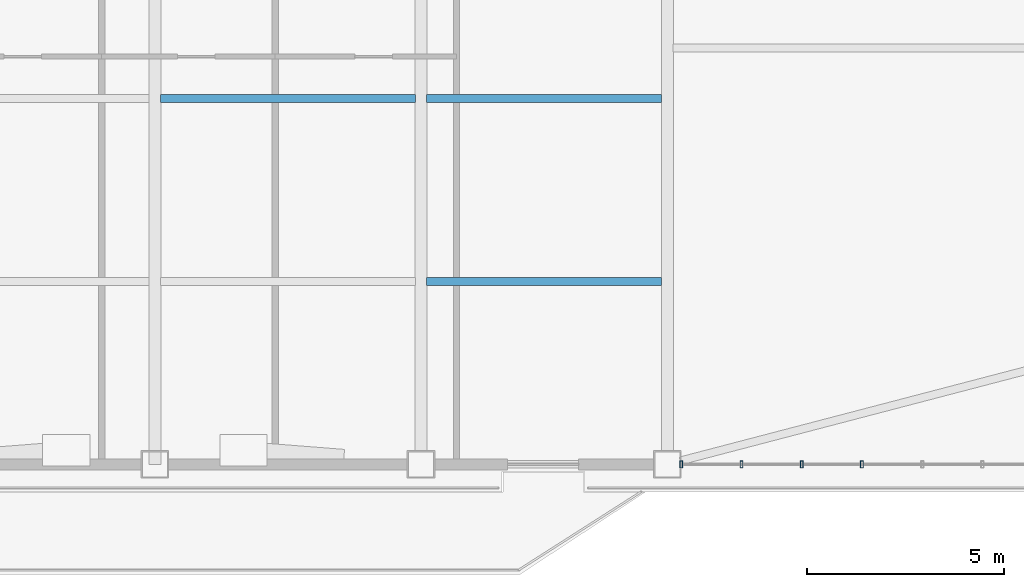
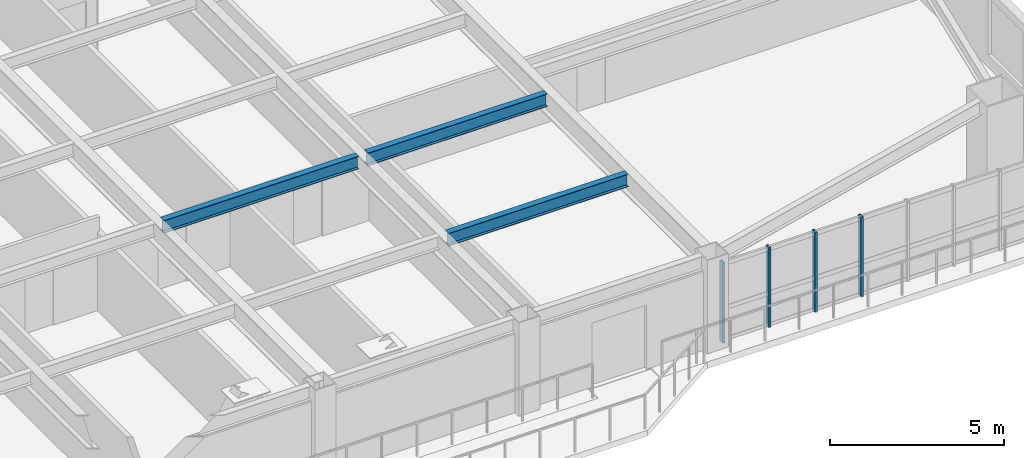
# One storey, part 4 of 15: 4 members, 3 beams, 1 element without a shape of its own.
"""IFC4 building model written with IfcOpenShell, lengths in metres."""

import ifcopenshell
import ifcopenshell.guid

model = None  # the IFC model being written
_history = None  # IfcOwnerHistory: only IFC2X3 demands one
_inside = {}  # id of a spatial element -> (the spatial element, [elements in it])
_under = {}  # id of a project, library or spatial element -> (it, [spatial elements below it])
_declared = {}  # id of a project -> (the project, [libraries it declares])
_typed = {}  # id of a type object -> (the type object, [elements of that type])
_made_of = {}  # id of a material, layer set ... -> (it, [elements and type objects made of it])


def new_model(schema):
    """Start an empty IFC model of exactly this schema.

    Asked for "IFC4X3", IfcOpenShell would pick the latest addendum, in which some entities
    have other attributes; the version numbers below select the first issue.
    IFC2X3 requires an IfcOwnerHistory on every rooted entity: one is made here for all.
    """
    global model, _history
    if schema == "IFC4X3":
        model = ifcopenshell.file(schema_version=(4, 3, 0, 0))
    else:
        model = ifcopenshell.file(schema=schema)
    _inside.clear()
    _under.clear()
    _declared.clear()
    _typed.clear()
    _made_of.clear()
    _history = None
    if model.schema == "IFC2X3":
        org = make("IfcOrganization", Name="unknown")
        user = make(
            "IfcPersonAndOrganization",
            ThePerson=make("IfcPerson", FamilyName="unknown"),
            TheOrganization=org,
        )
        app = make(
            "IfcApplication",
            ApplicationDeveloper=org,
            Version="unknown",
            ApplicationFullName="unknown",
            ApplicationIdentifier="unknown",
        )
        _history = make(
            "IfcOwnerHistory",
            OwningUser=user,
            OwningApplication=app,
            ChangeAction="ADDED",
            CreationDate=0,
        )
    return model


def make(cls, **values):
    """One entity of the class cls with the attributes given. An attribute that is None is left unset."""
    return model.create_entity(
        cls, **{name: value for name, value in values.items() if value is not None}
    )


def rooted(cls, **values):
    """An entity with a GlobalId (a new one), such as an element, a storey or a relation."""
    return make(cls, GlobalId=ifcopenshell.guid.new(), OwnerHistory=_history, **values)


def si_unit(unit_type, name, prefix=None):
    """IfcSIUnit, for example si_unit("LENGTHUNIT", "METRE", prefix="MILLI")."""
    return make("IfcSIUnit", UnitType=unit_type, Prefix=prefix, Name=name)


def assignment(units):
    """IfcUnitAssignment: the units of a project."""
    return None if units is None else make("IfcUnitAssignment", Units=units)


def point(xyz):
    """IfcCartesianPoint."""
    return None if xyz is None else make("IfcCartesianPoint", Coordinates=xyz)


def direction(xyz):
    """IfcDirection."""
    return None if xyz is None else make("IfcDirection", DirectionRatios=xyz)


def frame(location, z_axis=None, x_axis=None):
    """IfcAxis2Placement3D, a coordinate frame: its origin and axes. An axis left out is left unset."""
    return make(
        "IfcAxis2Placement3D",
        Location=point(location),
        Axis=direction(z_axis),
        RefDirection=direction(x_axis),
    )


def frame_2d(location, x_axis=None):
    """IfcAxis2Placement2D, a coordinate frame in the plane: its origin and x axis."""
    return make(
        "IfcAxis2Placement2D", Location=point(location), RefDirection=direction(x_axis)
    )


def origin():
    """The frame at (0, 0, 0) with its axes left unset."""
    return frame((0.0, 0.0, 0.0))


def origin_2d():
    """The frame at (0, 0) in the plane with its x axis left unset."""
    return frame_2d((0.0, 0.0))


def place(relative_to, where):
    """IfcLocalPlacement: puts the frame where relative to a parent placement (None: the world)."""
    return make(
        "IfcLocalPlacement", PlacementRelTo=relative_to, RelativePlacement=where
    )


def context(
    kind, dimensions, precision=None, world=None, true_north=None, identifier=None
):
    """IfcGeometricRepresentationContext, for example the 3D "Model" context."""
    return make(
        "IfcGeometricRepresentationContext",
        ContextIdentifier=identifier,
        ContextType=kind,
        CoordinateSpaceDimension=dimensions,
        Precision=precision,
        WorldCoordinateSystem=world,
        TrueNorth=true_north,
    )


def subcontext(parent, identifier, kind, view, scale=None):
    """IfcGeometricRepresentationSubContext, for example "Body" below "Model"."""
    return make(
        "IfcGeometricRepresentationSubContext",
        ContextIdentifier=identifier,
        ContextType=kind,
        ParentContext=parent,
        TargetScale=scale,
        TargetView=view,
    )


def project(units=None, contexts=None):
    """IfcProject with its units and contexts."""
    return rooted(
        "IfcProject",
        Name="project",
        RepresentationContexts=contexts,
        UnitsInContext=assignment(units),
    )


def spatial(cls, under=None, at=None, **own):
    """A site, building, storey or space (cls), placed at a placement, below another one or the project."""
    s = rooted(cls, ObjectPlacement=at, **own)
    if under is not None:
        _under.setdefault(under.id(), (under, []))[1].append(s)
    return s


def profile(cls, at=None, kind="AREA", **sizes):
    """A parametric profile (cls). Its sizes go by their IFC names, for example OverallWidth=200.0."""
    return make(cls, ProfileType=kind, Position=at, **sizes)


def hollow_rectangle(**sizes):
    """IfcRectangleHollowProfileDef."""
    return profile("IfcRectangleHollowProfileDef", **sizes)


def i_section(**sizes):
    """IfcIShapeProfileDef."""
    return profile("IfcIShapeProfileDef", **sizes)


def extrude(swept, where, along, depth):
    """IfcExtrudedAreaSolid: the profile swept, set in the frame where, extruded along a direction by depth."""
    return make(
        "IfcExtrudedAreaSolid",
        SweptArea=swept,
        Position=where,
        ExtrudedDirection=direction(along),
        Depth=depth,
    )


def shape(context_of_items, identifier, shape_type, items):
    """IfcShapeRepresentation: the items that make up one representation, for example the "Body"."""
    return make(
        "IfcShapeRepresentation",
        ContextOfItems=context_of_items,
        RepresentationIdentifier=identifier,
        RepresentationType=shape_type,
        Items=items,
    )


def source(mapping_origin, context_of_items, identifier, shape_type, items):
    """IfcRepresentationMap: a shape defined once, which mapped items show again and again."""
    return make(
        "IfcRepresentationMap",
        MappingOrigin=mapping_origin,
        MappedRepresentation=shape(context_of_items, identifier, shape_type, items),
    )


def transform(
    local_origin,
    x_axis=None,
    y_axis=None,
    z_axis=None,
    scale=None,
    scale2=None,
    scale3=None,
    uniform=True,
):
    """IfcCartesianTransformationOperator3D, or its non-uniform kind. x_axis, y_axis, z_axis: its Axis1, 2, 3."""
    if uniform:
        return make(
            "IfcCartesianTransformationOperator3D",
            Axis1=direction(x_axis),
            Axis2=direction(y_axis),
            LocalOrigin=point(local_origin),
            Scale=scale,
            Axis3=direction(z_axis),
        )
    return make(
        "IfcCartesianTransformationOperator3DnonUniform",
        Axis1=direction(x_axis),
        Axis2=direction(y_axis),
        LocalOrigin=point(local_origin),
        Scale=scale,
        Axis3=direction(z_axis),
        Scale2=scale2,
        Scale3=scale3,
    )


def mapped(mapping_source, mapping_target):
    """IfcMappedItem: shows the shape of a source again, moved by a transform."""
    return make(
        "IfcMappedItem", MappingSource=mapping_source, MappingTarget=mapping_target
    )


def material(Name=None, Category=None):
    """IfcMaterial."""
    return make("IfcMaterial", Name=Name, Category=Category)


def layer(
    of_material, thickness, ventilated=None, Name=None, Category=None, Priority=None
):
    """IfcMaterialLayer: one layer of a wall or slab, of a material (None: an air gap)."""
    return make(
        "IfcMaterialLayer",
        Material=of_material,
        LayerThickness=thickness,
        IsVentilated=ventilated,
        Name=Name,
        Category=Category,
        Priority=Priority,
    )


def layer_set(layers, Name=None):
    """IfcMaterialLayerSet."""
    return make("IfcMaterialLayerSet", MaterialLayers=layers, LayerSetName=Name)


def material_profile(
    of_material, cross_section, Name=None, Category=None, Priority=None
):
    """IfcMaterialProfile: a cross section and its material."""
    return make(
        "IfcMaterialProfile",
        Name=Name,
        Material=of_material,
        Profile=cross_section,
        Priority=Priority,
        Category=Category,
    )


def profile_set(profiles, Name=None, composite=None):
    """IfcMaterialProfileSet."""
    return make(
        "IfcMaterialProfileSet",
        Name=Name,
        MaterialProfiles=profiles,
        CompositeProfile=composite,
    )


def made_of(thing, what):
    """Note that an element or type object is made of a material, layer set ...; save() writes the relation."""
    if what is not None:
        _made_of.setdefault(what.id(), (what, []))[1].append(thing)
    return thing


def type_object(cls, material=None, **own):
    """A type object (cls), such as IfcWallType, which elements share."""
    return made_of(rooted(cls, **own), material)


def element(
    cls,
    number,
    at=None,
    inside=None,
    cuts=None,
    type_object=None,
    material=None,
    context=None,
    identifier="Body",
    shape_type=None,
    held_by="IfcProductDefinitionShape",
    body=None,
    shapes=None,
    **own,
):
    """One element of the class cls, such as IfcWall. Its Tag is "e" and its number.

    at: its placement. inside: the storey or other place that contains it. cuts: it is an
    opening in that element (IfcRelVoidsElement). A single representation is given by context,
    identifier, shape_type and body (its items); several are given by shapes. held_by: the class
    of the entity that holds the representations. save() writes the other relations.
    """
    e = rooted(cls, Tag="e%d" % number, ObjectPlacement=at, **own)
    if body is not None:
        shapes = [shape(context, identifier, shape_type, body)]
    if shapes is not None:
        e.Representation = make(held_by, Representations=shapes)
    if inside is not None:
        _inside.setdefault(inside.id(), (inside, []))[1].append(e)
    if cuts is not None:
        rooted(
            "IfcRelVoidsElement", RelatingBuildingElement=cuts, RelatedOpeningElement=e
        )
    if type_object is not None:
        _typed.setdefault(type_object.id(), (type_object, []))[1].append(e)
    return made_of(e, material)


def aggregate(whole, parts):
    """IfcRelAggregates: a whole, such as a stair, and the parts it consists of."""
    return rooted("IfcRelAggregates", RelatingObject=whole, RelatedObjects=parts)


def save(model, path):
    """Write the relations noted so far, then the file.

    IfcRelAggregates (storeys below a building ...), IfcRelContainedInSpatialStructure (elements
    in a storey), IfcRelDefinesByType, IfcRelAssociatesMaterial and IfcRelDeclares: one each for
    every whole, place, type object, material and project.
    """
    for whole, parts in _under.values():
        aggregate(whole, parts)
    for where, things in _inside.values():
        rooted(
            "IfcRelContainedInSpatialStructure",
            RelatedElements=things,
            RelatingStructure=where,
        )
    for kind, things in _typed.values():
        rooted("IfcRelDefinesByType", RelatedObjects=things, RelatingType=kind)
    for what, things in _made_of.values():
        rooted("IfcRelAssociatesMaterial", RelatedObjects=things, RelatingMaterial=what)
    for by, libraries in _declared.values():
        rooted("IfcRelDeclares", RelatingContext=by, RelatedDefinitions=libraries)
    model.write(path)


model = new_model("IFC4")

# Units and contexts
model_context = context("Model", 3, precision=1e-05, world=origin(), true_north=direction((0.0, 1.0)))
body_context = subcontext(model_context, "Body", "Model", "MODEL_VIEW")
ifc_project = project(units=[si_unit("LENGTHUNIT", "METRE"), si_unit("AREAUNIT", "SQUARE_METRE"), si_unit("VOLUMEUNIT", "CUBIC_METRE"), si_unit("PLANEANGLEUNIT", "RADIAN"), si_unit("MASSUNIT", "GRAM", prefix="KILO")], contexts=[model_context])

# Site, building, storey
site_placement = place(None, origin())
site = spatial("IfcSite", under=ifc_project, at=site_placement, CompositionType="ELEMENT")
building_placement = place(site_placement, origin())
building = spatial("IfcBuilding", under=site, at=building_placement, Name="Giltprow Tower", CompositionType="ELEMENT")
storey_placement = place(building_placement, frame((0.0, 0.0, 173.699951171875)))
storey = spatial("IfcBuildingStorey", under=building, at=storey_placement, Name="L43", CompositionType="ELEMENT", Elevation=173.699951171875)

# Beams
ifc_material_1 = material(Name="Structural steel Q355B", Category="steel")
ifc_material_profile_1 = material_profile(ifc_material_1, i_section(OverallWidth=0.199951171875, OverallDepth=0.449951171875, WebThickness=0.009033203125, FlangeThickness=0.013916015625, at=origin_2d()), Name="HN 450x200x9x14")
ifc_profile_set_1 = profile_set([ifc_material_profile_1], Name="Structural steel Q355B")
beam_type = type_object("IfcBeamType", Name="BM-JOIST-HN450", PredefinedType="JOIST", material=ifc_profile_set_1)
shared_shape_1 = source(origin(), body_context, "Body", "SweptSolid", [
    extrude(i_section(OverallWidth=0.199951171875, OverallDepth=0.449951171875, WebThickness=0.009033203125, FlangeThickness=0.013916015625, at=origin_2d()), origin(), (0.0, 0.0, 1.0), 6.4599609375),
])
beam_placement = place(storey_placement, frame((37.695068359375, 18.90087890625, 3.045166015625), z_axis=(1.0, 0.0, 0.0), x_axis=(0.0, 1.0, 0.0)))
element("IfcBeam", 1, at=beam_placement, inside=storey, type_object=beam_type, Name="L43 Composite Floor Joist 2-3", PredefinedType="JOIST", context=body_context, shape_type="MappedRepresentation", body=[
    mapped(shared_shape_1, transform((0.0, 0.0, 0.0), x_axis=(1.0, 0.0, 0.0), y_axis=(0.0, 1.0, 0.0), z_axis=(0.0, 0.0, 1.0), scale=1.0)),
])
shared_shape_2 = source(origin(), body_context, "Body", "SweptSolid", [
    extrude(i_section(OverallWidth=0.199951171875, OverallDepth=0.449951171875, WebThickness=0.009033203125, FlangeThickness=0.013916015625, at=origin_2d()), origin(), (0.0, 0.0, 1.0), 5.9599609375),
])
for number, where, z_axis, x_axis, name in (
    (2, (44.445068359375, 14.262939453125, 3.045166015625), (1.0, 0.0, 0.0), (0.0, 1.0, 0.0), "L43 Composite Floor Joist 1-4"),
    (3, (44.445068359375, 18.90087890625, 3.045166015625), (1.0, 0.0, 0.0), (0.0, 1.0, 0.0), "L43 Composite Floor Joist 2-4"),
):
    element("IfcBeam", number, at=place(storey_placement, frame(where, z_axis=z_axis, x_axis=x_axis)), inside=storey, type_object=beam_type, Name=name, PredefinedType="JOIST", context=body_context, shape_type="MappedRepresentation", body=[
        mapped(shared_shape_2, transform((0.0, 0.0, 0.0), x_axis=(1.0, 0.0, 0.0), y_axis=(0.0, 1.0, 0.0), z_axis=(0.0, 0.0, 1.0), scale=1.0)),
    ])

# Curtain wall, members
ifc_material_2 = material(Name="Anodized bronze", Category="metal")
ifc_layer = layer(ifc_material_2, 0.179931640625, Name="Anodized bronze")
ifc_layer_set = layer_set([ifc_layer], Name="Anodized bronze")
curtain_wall_type = type_object("IfcCurtainWallType", Name="CW-HTL-BRONZE", PredefinedType="NOTDEFINED", material=ifc_layer_set)
curtain_wall_placement = place(storey_placement, origin())
curtain_wall = element("IfcCurtainWall", 4, at=curtain_wall_placement, inside=storey, type_object=curtain_wall_type, Name="L43 South Recessed Curtain Wall 6", PredefinedType="NOTDEFINED")
ifc_material_profile_2 = material_profile(ifc_material_2, hollow_rectangle(XDim=0.074951171875, YDim=0.179931640625, WallThickness=0.008056640625, at=origin_2d()), Name="RHS 180x75x8")
ifc_profile_set_2 = profile_set([ifc_material_profile_2], Name="Anodized bronze")
member_type = type_object("IfcMemberType", Name="CW-MULLION-180x75", PredefinedType="MULLION", material=ifc_profile_set_2)
shared_shape_3 = source(origin(), body_context, "Body", "SweptSolid", [
    extrude(hollow_rectangle(XDim=0.074951171875, YDim=0.179931640625, WallThickness=0.008056640625, at=origin_2d()), origin(), (0.0, 0.0, 1.0), 2.80517578125),
])
member_1_placement = place(storey_placement, frame((50.89990234375, 9.6259765625, -0.02001953125), z_axis=(0.0, 0.0, 1.0), x_axis=(1.0, 0.0, 0.0)))
member_1 = element("IfcMember", 5, at=member_1_placement, type_object=member_type, Name="L43 South Recessed Curtain Wall 6 Mullion 1", PredefinedType="MULLION", context=body_context, shape_type="MappedRepresentation", body=[
    mapped(shared_shape_3, transform((0.0, 0.0, 0.0), x_axis=(1.0, 0.0, 0.0), y_axis=(0.0, 1.0, 0.0), z_axis=(0.0, 0.0, 1.0), scale=1.0)),
])
member_2_placement = place(storey_placement, frame((52.427978515625, 9.6259765625, -0.02001953125), z_axis=(0.0, 0.0, 1.0), x_axis=(1.0, 0.0, 0.0)))
member_2 = element("IfcMember", 6, at=member_2_placement, type_object=member_type, Name="L43 South Recessed Curtain Wall 6 Mullion 2", PredefinedType="MULLION", context=body_context, shape_type="MappedRepresentation", body=[
    mapped(shared_shape_3, transform((0.0, 0.0, 0.0), x_axis=(1.0, 0.0, 0.0), y_axis=(0.0, 1.0, 0.0), z_axis=(0.0, 0.0, 1.0), scale=1.0)),
])
member_3_placement = place(storey_placement, frame((53.955078125, 9.6259765625, -0.02001953125), z_axis=(0.0, 0.0, 1.0), x_axis=(1.0, 0.0, 0.0)))
member_3 = element("IfcMember", 7, at=member_3_placement, type_object=member_type, Name="L43 South Recessed Curtain Wall 6 Mullion 3", PredefinedType="MULLION", context=body_context, shape_type="MappedRepresentation", body=[
    mapped(shared_shape_3, transform((0.0, 0.0, 0.0), x_axis=(1.0, 0.0, 0.0), y_axis=(0.0, 1.0, 0.0), z_axis=(0.0, 0.0, 1.0), scale=1.0)),
])
member_4_placement = place(storey_placement, frame((55.48291015625, 9.6259765625, -0.02001953125), z_axis=(0.0, 0.0, 1.0), x_axis=(1.0, 0.0, 0.0)))
member_4 = element("IfcMember", 8, at=member_4_placement, type_object=member_type, Name="L43 South Recessed Curtain Wall 6 Mullion 4", PredefinedType="MULLION", context=body_context, shape_type="MappedRepresentation", body=[
    mapped(shared_shape_3, transform((0.0, 0.0, 0.0), x_axis=(1.0, 0.0, 0.0), y_axis=(0.0, 1.0, 0.0), z_axis=(0.0, 0.0, 1.0), scale=1.0)),
])
aggregate(curtain_wall, [member_1, member_2, member_3, member_4])

save(model, "model.ifc")
